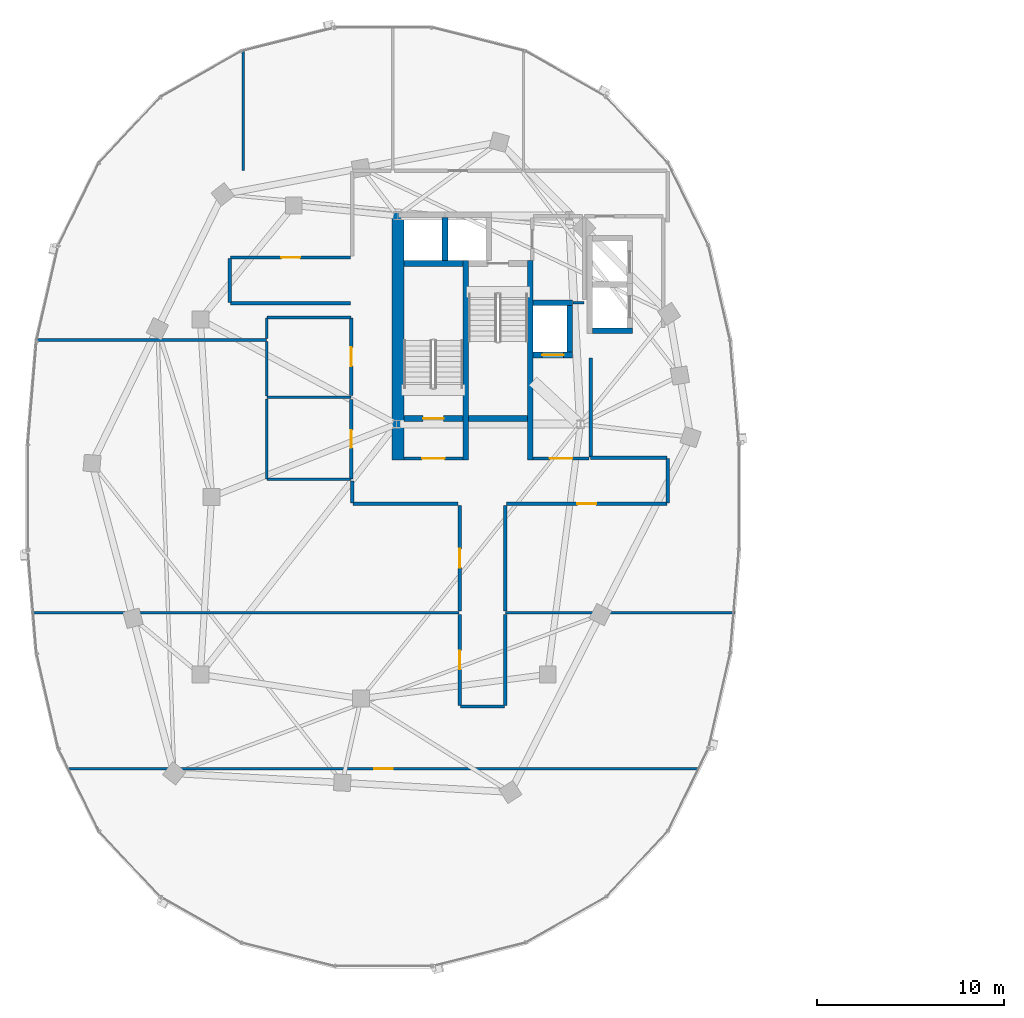
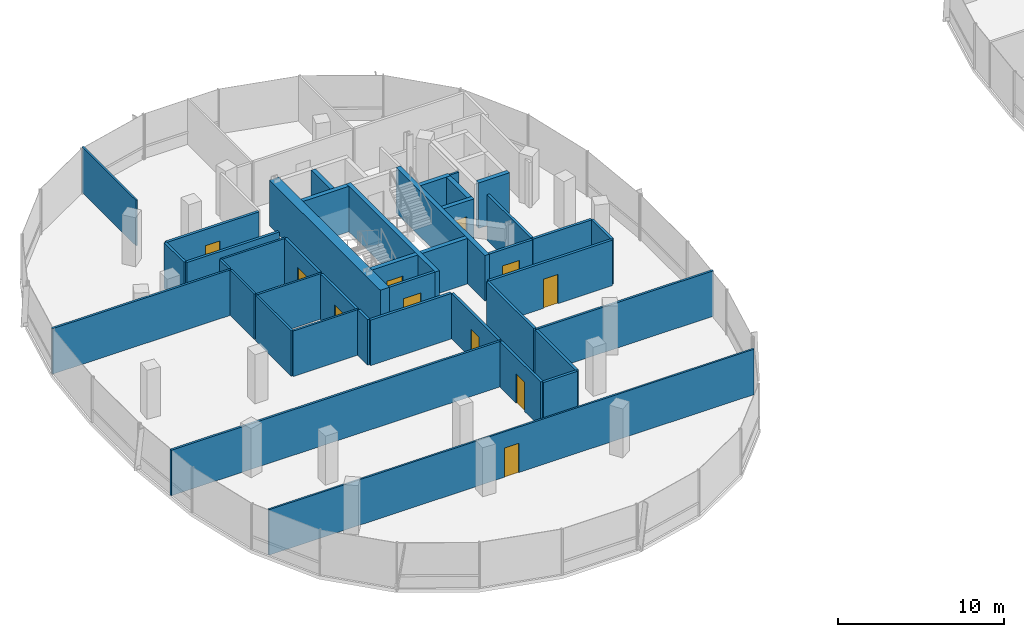
# One storey, part 15 of 25: 41 walls, 11 doors, 11 openings.
"""IFC4 building model written with IfcOpenShell, lengths in metres."""

from ifc_helpers import new_model, si_unit, direction, frame, frame_2d, origin, place, context, subcontext, project, spatial, rectangle, extrude, material, layer, layer_set, type_object, element, fill, save


model = new_model("IFC4")

# Units and contexts
model_context = context("Model", 3, precision=1e-05, world=origin(), true_north=direction((0.0, 1.0)))
body_context = subcontext(model_context, "Body", "Model", "MODEL_VIEW")
ifc_project = project(units=[si_unit("LENGTHUNIT", "METRE"), si_unit("AREAUNIT", "SQUARE_METRE"), si_unit("VOLUMEUNIT", "CUBIC_METRE"), si_unit("PLANEANGLEUNIT", "RADIAN"), si_unit("MASSUNIT", "GRAM", prefix="KILO"), si_unit("THERMODYNAMICTEMPERATUREUNIT", "KELVIN"), si_unit("POWERUNIT", "WATT")], contexts=[model_context])

# Site, building, storey
site_placement = place(None, origin())
site = spatial("IfcSite", under=ifc_project, at=site_placement, CompositionType="ELEMENT")
building_placement = place(site_placement, origin())
building = spatial("IfcBuilding", under=site, at=building_placement, Name="Cundina Bronze Exchange", CompositionType="ELEMENT")
storey_placement = place(building_placement, frame((0.0, 0.0, 220.60009765625)))
storey = spatial("IfcBuildingStorey", under=building, at=storey_placement, Name="L58", CompositionType="ELEMENT", Elevation=220.60009765625)

# Wall
ifc_material_1 = material(Name="Gypsum Fireboard Partition EI120")
ifc_layer_1 = layer(ifc_material_1, 0.179931640625, Name="Gypsum Fireboard Partition EI120")
ifc_layer_set_1 = layer_set([ifc_layer_1], Name="Gypsum Fireboard Partition EI120")
wall_type_1 = type_object("IfcWallType", Name="WL-COR-180", PredefinedType="PARTITIONING", material=ifc_layer_set_1)
wall_1_placement = place(storey_placement, frame((-20.889892578125, 2.14990234375, 0.0), z_axis=(0.0, 0.0, 1.0), x_axis=(0.0, 1.0, 0.0)))
element("IfcWall", 1, at=wall_1_placement, inside=storey, type_object=wall_type_1, Name="L58 W Firefighting Lobby Side Wall", PredefinedType="PARTITIONING", context=body_context, shape_type="SweptSolid", body=[
    extrude(rectangle(XDim=5.300048828125, YDim=0.179931640625, at=frame_2d((2.64990234375, 0.0))), origin(), (0.0, 0.0, 1.0), 3.33984375),
])

# Wall, opening, door
wall_2_placement = place(storey_placement, frame((-23.97998046875, 2.06005859375, 0.0), z_axis=(0.0, 0.0, 1.0), x_axis=(1.0, 0.0, 0.0)))
wall_2 = element("IfcWall", 2, at=wall_2_placement, inside=storey, type_object=wall_type_1, Name="L58 W Firefighting Lobby Exit Wall", PredefinedType="PARTITIONING", context=body_context, shape_type="SweptSolid", body=[
    extrude(rectangle(XDim=3.0, YDim=0.179931640625, at=frame_2d((1.5, 0.0))), origin(), (0.0, 0.0, 1.0), 3.33984375),
])
opening_1_placement = place(wall_2_placement, frame((0.89990234375, 0.0, 0.0)))
opening_1 = element("IfcOpeningElement", 3, at=opening_1_placement, cuts=wall_2, Name="Opening DF-01", PredefinedType="OPENING", context=body_context, shape_type="SweptSolid", body=[
    extrude(rectangle(XDim=1.199951171875, YDim=2.14990234375, at=frame_2d((0.60009765625, 1.074951171875))), frame((0.0, 0.099853515625, 0.0), z_axis=(0.0, -1.0, 0.0), x_axis=(1.0, 0.0, 0.0)), (0.0, 0.0, 1.0), 0.199951171875),
])
ifc_material_2 = material(Name="Steel ASTM A36 Painted", Category="steel")
door_type_1 = type_object("IfcDoorType", Name="DR-FFL-1200", OperationType="NOTDEFINED", PredefinedType="DOOR", material=ifc_material_2)
door_1_placement = place(opening_1_placement, origin())
door_1 = element("IfcDoor", 4, at=door_1_placement, inside=storey, type_object=door_type_1, Name="L58 W Firefighting Lobby Door", OperationType="SINGLE_SWING_RIGHT", OverallHeight=2.14990234375, OverallWidth=1.199951171875, PredefinedType="DOOR", context=body_context, shape_type="SweptSolid", body=[
    extrude(rectangle(XDim=1.199951171875, YDim=2.14990234375, at=frame_2d((0.60009765625, 1.074951171875))), frame((0.0, 0.02490234375, 0.0), z_axis=(0.0, -1.0, 0.0), x_axis=(1.0, 0.0, 0.0)), (0.0, 0.0, 1.0), 0.050048828125),
])
fill(opening_1, door_1)

wall_3_placement = place(storey_placement, frame((-30.89990234375, 2.06005859375, 0.0), z_axis=(0.0, 0.0, 1.0), x_axis=(1.0, 0.0, 0.0)))
wall_3 = element("IfcWall", 5, at=wall_3_placement, inside=storey, type_object=wall_type_1, Name="L58 W Stair Vestibule Exit Wall", PredefinedType="PARTITIONING", context=body_context, shape_type="SweptSolid", body=[
    extrude(rectangle(XDim=3.159912109375, YDim=0.179931640625, at=frame_2d((1.580078125, 0.0))), origin(), (0.0, 0.0, 1.0), 3.33984375),
])
opening_2_placement = place(wall_3_placement, frame((0.97998046875, 0.0, 0.0)))
opening_2 = element("IfcOpeningElement", 6, at=opening_2_placement, cuts=wall_3, Name="Opening DF-01", PredefinedType="OPENING", context=body_context, shape_type="SweptSolid", body=[
    extrude(rectangle(XDim=1.199951171875, YDim=2.14990234375, at=frame_2d((0.60009765625, 1.074951171875))), frame((0.0, 0.099853515625, 0.0), z_axis=(0.0, -1.0, 0.0), x_axis=(1.0, 0.0, 0.0)), (0.0, 0.0, 1.0), 0.199951171875),
])
door_2_placement = place(opening_2_placement, origin())
door_2 = element("IfcDoor", 7, at=door_2_placement, inside=storey, type_object=door_type_1, Name="L58 W Stair Vestibule Door", OperationType="SINGLE_SWING_LEFT", OverallHeight=2.14990234375, OverallWidth=1.199951171875, PredefinedType="DOOR", context=body_context, shape_type="SweptSolid", body=[
    extrude(rectangle(XDim=1.199951171875, YDim=2.14990234375, at=frame_2d((0.60009765625, 1.074951171875))), frame((0.0, 0.02490234375, 0.0), z_axis=(0.0, -1.0, 0.0), x_axis=(1.0, 0.0, 0.0)), (0.0, 0.0, 1.0), 0.050048828125),
])
fill(opening_2, door_2)

wall_4_placement = place(storey_placement, frame((-33.719970703125, 0.969970703125, 0.0), z_axis=(0.0, 0.0, 1.0), x_axis=(0.0, 1.0, 0.0)))
wall_4 = element("IfcWall", 8, at=wall_4_placement, inside=storey, type_object=wall_type_1, Name="L58 Interior Partition 014", PredefinedType="PARTITIONING", context=body_context, shape_type="SweptSolid", body=[
    extrude(rectangle(XDim=4.260009765625, YDim=0.179931640625, at=frame_2d((2.1298828125, 0.0))), origin(), (0.0, 0.0, 1.0), 3.33984375),
])
opening_3_placement = place(wall_4_placement, frame((1.655029296875, 0.0, 0.0)))
opening_3 = element("IfcOpeningElement", 9, at=opening_3_placement, cuts=wall_4, Name="Opening DW-01", PredefinedType="OPENING", context=body_context, shape_type="SweptSolid", body=[
    extrude(rectangle(XDim=0.949951171875, YDim=2.10009765625, at=frame_2d((0.47509765625, 1.050048828125))), frame((0.0, 0.099853515625, 0.0), z_axis=(0.0, -1.0, 0.0), x_axis=(1.0, 0.0, 0.0)), (0.0, 0.0, 1.0), 0.199951171875),
])
ifc_material_3 = material(Name="Solid Andean Oak Timber Grade A", Category="wood")
door_type_2 = type_object("IfcDoorType", Name="DR-WC-950", OperationType="NOTDEFINED", PredefinedType="DOOR", material=ifc_material_3)
door_3_placement = place(opening_3_placement, origin())
door_3 = element("IfcDoor", 10, at=door_3_placement, inside=storey, type_object=door_type_2, Name="L58 Interior Door 014", OperationType="SINGLE_SWING_LEFT", OverallHeight=2.10009765625, OverallWidth=0.949951171875, PredefinedType="DOOR", context=body_context, shape_type="SweptSolid", body=[
    extrude(rectangle(XDim=0.949951171875, YDim=2.10009765625, at=frame_2d((0.47509765625, 1.050048828125))), frame((0.0, 0.02490234375, 0.0), z_axis=(0.0, -1.0, 0.0), x_axis=(1.0, 0.0, 0.0)), (0.0, 0.0, 1.0), 0.050048828125),
])
fill(opening_3, door_3)

wall_5_placement = place(storey_placement, frame((-33.719970703125, 5.429931640625, 0.0), z_axis=(0.0, 0.0, 1.0), x_axis=(0.0, 1.0, 0.0)))
wall_5 = element("IfcWall", 11, at=wall_5_placement, inside=storey, type_object=wall_type_1, Name="L58 Interior Partition 015", PredefinedType="PARTITIONING", context=body_context, shape_type="SweptSolid", body=[
    extrude(rectangle(XDim=4.16015625, YDim=0.179931640625, at=frame_2d((2.080078125, 0.0))), origin(), (0.0, 0.0, 1.0), 3.33984375),
])
opening_4_placement = place(wall_5_placement, frame((1.580078125, 0.0, 0.0)))
opening_4 = element("IfcOpeningElement", 12, at=opening_4_placement, cuts=wall_5, Name="Opening DO-01", PredefinedType="OPENING", context=body_context, shape_type="SweptSolid", body=[
    extrude(rectangle(XDim=1.0, YDim=2.14990234375, at=frame_2d((0.5, 1.074951171875))), frame((0.0, 0.099853515625, 0.0), z_axis=(0.0, -1.0, 0.0), x_axis=(1.0, 0.0, 0.0)), (0.0, 0.0, 1.0), 0.199951171875),
])
door_type_3 = type_object("IfcDoorType", Name="DR-OFF-1000", OperationType="NOTDEFINED", PredefinedType="DOOR", material=ifc_material_3)
door_4_placement = place(opening_4_placement, origin())
door_4 = element("IfcDoor", 13, at=door_4_placement, inside=storey, type_object=door_type_3, Name="L58 Interior Door 015", OperationType="SINGLE_SWING_LEFT", OverallHeight=2.14990234375, OverallWidth=1.0, PredefinedType="DOOR", context=body_context, shape_type="SweptSolid", body=[
    extrude(rectangle(XDim=1.0, YDim=2.14990234375, at=frame_2d((0.5, 1.074951171875))), frame((0.0, 0.02490234375, 0.0), z_axis=(0.0, -1.0, 0.0), x_axis=(1.0, 0.0, 0.0)), (0.0, 0.0, 1.0), 0.050048828125),
])
fill(opening_4, door_4)

wall_6_placement = place(storey_placement, frame((-27.919921875, -6.2900390625, 0.0), z_axis=(0.0, 0.0, 1.0), x_axis=(0.0, -1.0, 0.0)))
wall_6 = element("IfcWall", 14, at=wall_6_placement, inside=storey, type_object=wall_type_1, Name="L58 Interior Partition 022", PredefinedType="PARTITIONING", context=body_context, shape_type="SweptSolid", body=[
    extrude(rectangle(XDim=4.888427734375, YDim=0.179931640625, at=frame_2d((2.4443359375, 0.0))), origin(), (0.0, 0.0, 1.0), 3.33984375),
])
opening_5_placement = place(wall_6_placement, frame((1.944091796875, 0.0, 0.0)))
opening_5 = element("IfcOpeningElement", 15, at=opening_5_placement, cuts=wall_6, Name="Opening DO-01", PredefinedType="OPENING", context=body_context, shape_type="SweptSolid", body=[
    extrude(rectangle(XDim=1.0, YDim=2.14990234375, at=frame_2d((0.5, 1.074951171875))), frame((0.0, 0.099853515625, 0.0), z_axis=(0.0, -1.0, 0.0), x_axis=(1.0, 0.0, 0.0)), (0.0, 0.0, 1.0), 0.199951171875),
])
door_5_placement = place(opening_5_placement, origin())
door_5 = element("IfcDoor", 16, at=door_5_placement, inside=storey, type_object=door_type_3, Name="L58 Interior Door 022", OperationType="SINGLE_SWING_LEFT", OverallHeight=2.14990234375, OverallWidth=1.0, PredefinedType="DOOR", context=body_context, shape_type="SweptSolid", body=[
    extrude(rectangle(XDim=1.0, YDim=2.14990234375, at=frame_2d((0.5, 1.074951171875))), frame((0.0, 0.02490234375, 0.0), z_axis=(0.0, -1.0, 0.0), x_axis=(1.0, 0.0, 0.0)), (0.0, 0.0, 1.0), 0.050048828125),
])
fill(opening_5, door_5)

# Walls
wall_7_placement = place(storey_placement, frame((-25.47998046875, -11.178466796875, 0.0), z_axis=(0.0, 0.0, 1.0), x_axis=(0.0, 1.0, 0.0)))
element("IfcWall", 17, at=wall_7_placement, inside=storey, type_object=wall_type_1, Name="L58 Interior Partition 023", PredefinedType="PARTITIONING", context=body_context, shape_type="SweptSolid", body=[
    extrude(rectangle(XDim=4.888427734375, YDim=0.179931640625, at=frame_2d((2.4443359375, 0.0))), origin(), (0.0, 0.0, 1.0), 3.33984375),
])
wall_8_placement = place(storey_placement, frame((-27.87841796875, -11.219970703125, 0.0), z_axis=(0.0, 0.0, 1.0), x_axis=(1.0, 0.0, 0.0)))
element("IfcWall", 18, at=wall_8_placement, inside=storey, type_object=wall_type_1, Name="L58 Interior Partition 024", PredefinedType="PARTITIONING", context=body_context, shape_type="SweptSolid", body=[
    extrude(rectangle(XDim=2.35693359375, YDim=0.179931640625, at=frame_2d((1.178466796875, 0.0))), origin(), (0.0, 0.0, 1.0), 3.33984375),
])

# Wall, opening, door
wall_9_placement = place(storey_placement, frame((-27.919921875, -0.449951171875, 0.0), z_axis=(0.0, 0.0, 1.0), x_axis=(0.0, -1.0, 0.0)))
wall_9 = element("IfcWall", 19, at=wall_9_placement, inside=storey, type_object=wall_type_1, Name="L58 Interior Partition 025", PredefinedType="PARTITIONING", context=body_context, shape_type="SweptSolid", body=[
    extrude(rectangle(XDim=5.66015625, YDim=0.179931640625, at=frame_2d((2.830078125, 0.0))), origin(), (0.0, 0.0, 1.0), 3.33984375),
])
opening_6_placement = place(wall_9_placement, frame((2.330078125, 0.0, 0.0)))
opening_6 = element("IfcOpeningElement", 20, at=opening_6_placement, cuts=wall_9, Name="Opening DO-01", PredefinedType="OPENING", context=body_context, shape_type="SweptSolid", body=[
    extrude(rectangle(XDim=1.0, YDim=2.14990234375, at=frame_2d((0.5, 1.074951171875))), frame((0.0, 0.099853515625, 0.0), z_axis=(0.0, -1.0, 0.0), x_axis=(1.0, 0.0, 0.0)), (0.0, 0.0, 1.0), 0.199951171875),
])
door_6_placement = place(opening_6_placement, origin())
door_6 = element("IfcDoor", 21, at=door_6_placement, inside=storey, type_object=door_type_3, Name="L58 Interior Door 025", OperationType="SINGLE_SWING_LEFT", OverallHeight=2.14990234375, OverallWidth=1.0, PredefinedType="DOOR", context=body_context, shape_type="SweptSolid", body=[
    extrude(rectangle(XDim=1.0, YDim=2.14990234375, at=frame_2d((0.5, 1.074951171875))), frame((0.0, 0.02490234375, 0.0), z_axis=(0.0, -1.0, 0.0), x_axis=(1.0, 0.0, 0.0)), (0.0, 0.0, 1.0), 0.050048828125),
])
fill(opening_6, door_6)

# Walls
wall_10_placement = place(storey_placement, frame((-33.62841796875, -0.3701171875, 0.0), z_axis=(0.0, 0.0, 1.0), x_axis=(1.0, 0.0, 0.0)))
element("IfcWall", 22, at=wall_10_placement, inside=storey, type_object=wall_type_1, Name="L58 Interior Partition 026", PredefinedType="PARTITIONING", context=body_context, shape_type="SweptSolid", body=[
    extrude(rectangle(XDim=5.62841796875, YDim=0.179931640625, at=frame_2d((2.814208984375, 0.0))), origin(), (0.0, 0.0, 1.0), 3.33984375),
])
wall_11_placement = place(storey_placement, frame((-33.669921875, 0.858642578125, 0.0), z_axis=(0.0, 0.0, 1.0), x_axis=(0.0, -1.0, 0.0)))
element("IfcWall", 23, at=wall_11_placement, inside=storey, type_object=wall_type_1, Name="L58 Interior Partition 027", PredefinedType="PARTITIONING", context=body_context, shape_type="SweptSolid", body=[
    extrude(rectangle(XDim=1.187255859375, YDim=0.179931640625, at=frame_2d((0.59375, 0.0))), origin(), (0.0, 0.0, 1.0), 3.33984375),
])

# Wall, opening, door
wall_12_placement = place(storey_placement, frame((-25.39990234375, -0.3701171875, 0.0), z_axis=(0.0, 0.0, 1.0), x_axis=(1.0, 0.0, 0.0)))
wall_12 = element("IfcWall", 24, at=wall_12_placement, inside=storey, type_object=wall_type_1, Name="L58 Interior Partition 028", PredefinedType="PARTITIONING", context=body_context, shape_type="SweptSolid", body=[
    extrude(rectangle(XDim=8.578369140625, YDim=0.179931640625, at=frame_2d((4.2890625, 0.0))), origin(), (0.0, 0.0, 1.0), 3.33984375),
])
opening_7_placement = place(wall_12_placement, frame((3.789306640625, 0.0, 0.0)))
opening_7 = element("IfcOpeningElement", 25, at=opening_7_placement, cuts=wall_12, Name="Opening DO-01", PredefinedType="OPENING", context=body_context, shape_type="SweptSolid", body=[
    extrude(rectangle(XDim=1.0, YDim=2.14990234375, at=frame_2d((0.5, 1.074951171875))), frame((0.0, 0.099853515625, 0.0), z_axis=(0.0, -1.0, 0.0), x_axis=(1.0, 0.0, 0.0)), (0.0, 0.0, 1.0), 0.199951171875),
])
door_7_placement = place(opening_7_placement, origin())
door_7 = element("IfcDoor", 26, at=door_7_placement, inside=storey, type_object=door_type_3, Name="L58 Interior Door 028", OperationType="SINGLE_SWING_LEFT", OverallHeight=2.14990234375, OverallWidth=1.0, PredefinedType="DOOR", context=body_context, shape_type="SweptSolid", body=[
    extrude(rectangle(XDim=1.0, YDim=2.14990234375, at=frame_2d((0.5, 1.074951171875))), frame((0.0, 0.02490234375, 0.0), z_axis=(0.0, -1.0, 0.0), x_axis=(1.0, 0.0, 0.0)), (0.0, 0.0, 1.0), 0.050048828125),
])
fill(opening_7, door_7)

# Walls
wall_13_placement = place(storey_placement, frame((-25.47998046875, -6.110107421875, 0.0), z_axis=(0.0, 0.0, 1.0), x_axis=(0.0, 1.0, 0.0)))
element("IfcWall", 27, at=wall_13_placement, inside=storey, type_object=wall_type_1, Name="L58 Interior Partition 030", PredefinedType="PARTITIONING", context=body_context, shape_type="SweptSolid", body=[
    extrude(rectangle(XDim=5.66015625, YDim=0.179931640625, at=frame_2d((2.830078125, 0.0))), origin(), (0.0, 0.0, 1.0), 3.33984375),
])
wall_14_placement = place(storey_placement, frame((-16.821533203125, 2.10009765625, 0.0), z_axis=(0.0, 0.0, 1.0), x_axis=(-1.0, 0.0, 0.0)))
element("IfcWall", 28, at=wall_14_placement, inside=storey, type_object=wall_type_1, Name="L58 Interior Partition 031", PredefinedType="PARTITIONING", context=body_context, shape_type="SweptSolid", body=[
    extrude(rectangle(XDim=4.098388671875, YDim=0.179931640625, at=frame_2d((2.04931640625, 0.0))), origin(), (0.0, 0.0, 1.0), 3.33984375),
])
wall_15_placement = place(storey_placement, frame((-16.780029296875, -0.32861328125, 0.0), z_axis=(0.0, 0.0, 1.0), x_axis=(0.0, 1.0, 0.0)))
element("IfcWall", 29, at=wall_15_placement, inside=storey, type_object=wall_type_1, Name="L58 Interior Partition 033", PredefinedType="PARTITIONING", context=body_context, shape_type="SweptSolid", body=[
    extrude(rectangle(XDim=2.38720703125, YDim=0.179931640625, at=frame_2d((1.193603515625, 0.0))), origin(), (0.0, 0.0, 1.0), 3.33984375),
])

# Wall, opening, door
wall_16_placement = place(storey_placement, frame((-33.75, 12.820068359375, 0.0), z_axis=(0.0, 0.0, 1.0), x_axis=(-1.0, 0.0, 0.0)))
wall_16 = element("IfcWall", 30, at=wall_16_placement, inside=storey, type_object=wall_type_1, Name="L58 Interior Partition 034", PredefinedType="PARTITIONING", context=body_context, shape_type="SweptSolid", body=[
    extrude(rectangle(XDim=6.428466796875, YDim=0.179931640625, at=frame_2d((3.21435546875, 0.0))), origin(), (0.0, 0.0, 1.0), 3.33984375),
])
opening_8_placement = place(wall_16_placement, frame((2.714111328125, 0.0, 0.0)))
opening_8 = element("IfcOpeningElement", 31, at=opening_8_placement, cuts=wall_16, Name="Opening DO-01", PredefinedType="OPENING", context=body_context, shape_type="SweptSolid", body=[
    extrude(rectangle(XDim=1.0, YDim=2.14990234375, at=frame_2d((0.5, 1.074951171875))), frame((0.0, 0.099853515625, 0.0), z_axis=(0.0, -1.0, 0.0), x_axis=(1.0, 0.0, 0.0)), (0.0, 0.0, 1.0), 0.199951171875),
])
door_8_placement = place(opening_8_placement, origin())
door_8 = element("IfcDoor", 32, at=door_8_placement, inside=storey, type_object=door_type_3, Name="L58 Interior Door 034", OperationType="SINGLE_SWING_LEFT", OverallHeight=2.14990234375, OverallWidth=1.0, PredefinedType="DOOR", context=body_context, shape_type="SweptSolid", body=[
    extrude(rectangle(XDim=1.0, YDim=2.14990234375, at=frame_2d((0.5, 1.074951171875))), frame((0.0, 0.02490234375, 0.0), z_axis=(0.0, -1.0, 0.0), x_axis=(1.0, 0.0, 0.0)), (0.0, 0.0, 1.0), 0.050048828125),
])
fill(opening_8, door_8)

# Walls
wall_17_placement = place(storey_placement, frame((-40.178466796875, 10.3798828125, 0.0), z_axis=(0.0, 0.0, 1.0), x_axis=(1.0, 0.0, 0.0)))
element("IfcWall", 33, at=wall_17_placement, inside=storey, type_object=wall_type_1, Name="L58 Interior Partition 035", PredefinedType="PARTITIONING", context=body_context, shape_type="SweptSolid", body=[
    extrude(rectangle(XDim=6.428466796875, YDim=0.179931640625, at=frame_2d((3.21435546875, 0.0))), origin(), (0.0, 0.0, 1.0), 3.33984375),
])
wall_18_placement = place(storey_placement, frame((-40.219970703125, 12.778564453125, 0.0), z_axis=(0.0, 0.0, 1.0), x_axis=(0.0, -1.0, 0.0)))
element("IfcWall", 34, at=wall_18_placement, inside=storey, type_object=wall_type_1, Name="L58 Interior Partition 037", PredefinedType="PARTITIONING", context=body_context, shape_type="SweptSolid", body=[
    extrude(rectangle(XDim=2.357177734375, YDim=0.179931640625, at=frame_2d((1.1787109375, 0.0))), origin(), (0.0, 0.0, 1.0), 3.33984375),
])
ifc_material_4 = material(Name="Concrete C50/60", Category="concrete")
ifc_layer_2 = layer(ifc_material_4, 0.64990234375, Name="Concrete C50/60", Category="concrete")
ifc_layer_set_2 = layer_set([ifc_layer_2], Name="Concrete C50/60")
wall_type_2 = type_object("IfcWallType", Name="WL-CORE-650", PredefinedType="SHEAR", material=ifc_layer_set_2)
wall_19_placement = place(storey_placement, frame((-31.22509765625, 1.969970703125, 0.0), z_axis=(0.0, 0.0, 1.0), x_axis=(0.0, 1.0, 0.0)))
element("IfcWall", 35, at=wall_19_placement, inside=storey, type_object=wall_type_2, Name="L58 W Primary Core Shear Spine Wall", PredefinedType="SHEAR", context=body_context, shape_type="SweptSolid", body=[
    extrude(rectangle(XDim=13.330078125, YDim=0.64990234375, at=frame_2d((6.6650390625, 0.0))), origin(), (0.0, 0.0, 1.0), 3.33984375),
])
ifc_material_5 = material(Name="Gypsum Acoustic Partition EI60")
ifc_layer_3 = layer(ifc_material_5, 0.125, Name="Gypsum Acoustic Partition EI60")
ifc_layer_set_3 = layer_set([ifc_layer_3], Name="Gypsum Acoustic Partition EI60")
wall_type_3 = type_object("IfcWallType", Name="WL-OFF-125", PredefinedType="PARTITIONING", material=ifc_layer_set_3)
wall_20_placement = place(storey_placement, frame((-39.5, 17.469970703125, 0.0), z_axis=(0.0, 0.0, 1.0), x_axis=(0.0, 1.0, 0.0)))
element("IfcWall", 36, at=wall_20_placement, inside=storey, type_object=wall_type_3, Name="L58 Interior Partition 019", PredefinedType="PARTITIONING", context=body_context, shape_type="SweptSolid", body=[
    extrude(rectangle(XDim=6.49267578125, YDim=0.125, at=frame_2d((3.246337890625, 0.0))), origin(), (0.0, 0.0, 1.0), 3.33984375),
])

# Wall, opening, door
wall_21_placement = place(storey_placement, frame((-48.832763671875, -14.550048828125, 0.0), z_axis=(0.0, 0.0, 1.0), x_axis=(1.0, 0.0, 0.0)))
wall_21 = element("IfcWall", 37, at=wall_21_placement, inside=storey, type_object=wall_type_3, Name="L58 Interior Partition 040", PredefinedType="PARTITIONING", context=body_context, shape_type="SweptSolid", body=[
    extrude(rectangle(XDim=33.66552734375, YDim=0.125, at=frame_2d((16.832763671875, 0.0))), origin(), (0.0, 0.0, 1.0), 3.33984375),
])
opening_9_placement = place(wall_21_placement, frame((16.332763671875, 0.0, 0.0)))
opening_9 = element("IfcOpeningElement", 38, at=opening_9_placement, cuts=wall_21, Name="Opening DO-01", PredefinedType="OPENING", context=body_context, shape_type="SweptSolid", body=[
    extrude(rectangle(XDim=1.0, YDim=2.14990234375, at=frame_2d((0.5, 1.074951171875))), frame((0.0, 0.072509765625, 0.0), z_axis=(0.0, -1.0, 0.0), x_axis=(1.0, 0.0, 0.0)), (0.0, 0.0, 1.0), 0.14501953125),
])
door_9_placement = place(opening_9_placement, origin())
door_9 = element("IfcDoor", 39, at=door_9_placement, inside=storey, type_object=door_type_3, Name="L58 Interior Door 040", OperationType="SINGLE_SWING_LEFT", OverallHeight=2.14990234375, OverallWidth=1.0, PredefinedType="DOOR", context=body_context, shape_type="SweptSolid", body=[
    extrude(rectangle(XDim=1.0, YDim=2.14990234375, at=frame_2d((0.5, 1.074951171875))), frame((0.0, 0.02490234375, 0.0), z_axis=(0.0, -1.0, 0.0), x_axis=(1.0, 0.0, 0.0)), (0.0, 0.0, 1.0), 0.050048828125),
])
fill(opening_9, door_9)

# Walls
ifc_layer_4 = layer(ifc_material_4, 0.300048828125, Name="Concrete C50/60", Category="concrete")
ifc_layer_set_4 = layer_set([ifc_layer_4], Name="Concrete C50/60")
wall_type_4 = type_object("IfcWallType", Name="WL-SHFT-300", PredefinedType="SHEAR", material=ifc_layer_set_4)
for number, where, z_axis, x_axis, name in (
    (40, (-27.590087890625, 1.969970703125, 0.0), (0.0, 0.0, 1.0), (0.0, 1.0, 0.0), "L58 W Stair Shaft Dividing Shear Wall"),
    (41, (-24.1298828125, 1.969970703125, 0.0), (0.0, 0.0, 1.0), (0.0, 1.0, 0.0), "L58 W Stair 2 East Shear Wall"),
):
    element("IfcWall", number, at=place(storey_placement, frame(where, z_axis=z_axis, x_axis=x_axis)), inside=storey, type_object=wall_type_4, Name=name, PredefinedType="SHEAR", context=body_context, shape_type="SweptSolid", body=[
        extrude(rectangle(XDim=10.679931640625, YDim=0.300048828125, at=frame_2d((5.33984375, 0.0))), origin(), (0.0, 0.0, 1.0), 3.33984375),
    ])

# Wall, opening, door
wall_22_placement = place(storey_placement, frame((-30.89990234375, 4.199951171875, 0.0), z_axis=(0.0, 0.0, 1.0), x_axis=(1.0, 0.0, 0.0)))
wall_22 = element("IfcWall", 42, at=wall_22_placement, inside=storey, type_object=wall_type_4, Name="L58 Stair W1 Landing Wall", PredefinedType="SHEAR", context=body_context, shape_type="SweptSolid", body=[
    extrude(rectangle(XDim=3.159912109375, YDim=0.300048828125, at=frame_2d((1.580078125, 0.0))), origin(), (0.0, 0.0, 1.0), 3.33984375),
])
opening_10_placement = place(wall_22_placement, frame((1.030029296875, 0.0, 0.0)))
opening_10 = element("IfcOpeningElement", 43, at=opening_10_placement, cuts=wall_22, Name="Opening DS-01", PredefinedType="OPENING", context=body_context, shape_type="SweptSolid", body=[
    extrude(rectangle(XDim=1.10009765625, YDim=2.14990234375, at=frame_2d((0.550048828125, 1.074951171875))), frame((0.0, 0.159912109375, 0.0), z_axis=(0.0, -1.0, 0.0), x_axis=(1.0, 0.0, 0.0)), (0.0, 0.0, 1.0), 0.320068359375),
])
door_type_4 = type_object("IfcDoorType", Name="DR-STR-1100", OperationType="NOTDEFINED", PredefinedType="DOOR", material=ifc_material_2)
door_10_placement = place(opening_10_placement, origin())
door_10 = element("IfcDoor", 44, at=door_10_placement, inside=storey, type_object=door_type_4, Name="L58 Smokeproof Stair W1 Door", OperationType="SINGLE_SWING_RIGHT", OverallHeight=2.14990234375, OverallWidth=1.10009765625, PredefinedType="DOOR", context=body_context, shape_type="SweptSolid", body=[
    extrude(rectangle(XDim=1.10009765625, YDim=2.14990234375, at=frame_2d((0.550048828125, 1.074951171875))), frame((0.0, 0.02490234375, 0.0), z_axis=(0.0, -1.0, 0.0), x_axis=(1.0, 0.0, 0.0)), (0.0, 0.0, 1.0), 0.050048828125),
])
fill(opening_10, door_10)

# Walls
for number, where, z_axis, x_axis, name in (
    (45, (-30.89990234375, 12.5, 0.0), (0.0, 0.0, 1.0), (1.0, 0.0, 0.0), "L58 Stair W1 Far Shaft Wall"),
    (46, (-27.43994140625, 4.199951171875, 0.0), (0.0, 0.0, 1.0), (1.0, 0.0, 0.0), "L58 Stair W2 Far Shaft Wall"),
):
    element("IfcWall", number, at=place(storey_placement, frame(where, z_axis=z_axis, x_axis=x_axis)), inside=storey, type_object=wall_type_4, Name=name, PredefinedType="SHEAR", context=body_context, shape_type="SweptSolid", body=[
        extrude(rectangle(XDim=3.159912109375, YDim=0.300048828125, at=frame_2d((1.580078125, 0.0))), origin(), (0.0, 0.0, 1.0), 3.33984375),
    ])

# Wall, opening, door
wall_23_placement = place(storey_placement, frame((-23.97998046875, 7.60009765625, 0.0), z_axis=(0.0, 0.0, 1.0), x_axis=(1.0, 0.0, 0.0)))
wall_23 = element("IfcWall", 47, at=wall_23_placement, inside=storey, type_object=wall_type_4, Name="L58 FFL-W Hoistway Front Wall", PredefinedType="SHEAR", context=body_context, shape_type="SweptSolid", body=[
    extrude(rectangle(XDim=2.10009765625, YDim=0.300048828125, at=frame_2d((1.050048828125, 0.0))), origin(), (0.0, 0.0, 1.0), 3.33984375),
])
opening_11_placement = place(wall_23_placement, frame((0.47509765625, 0.0, 0.0)))
opening_11 = element("IfcOpeningElement", 48, at=opening_11_placement, cuts=wall_23, Name="Opening LD-01", PredefinedType="OPENING", context=body_context, shape_type="SweptSolid", body=[
    extrude(rectangle(XDim=1.14990234375, YDim=2.199951171875, at=frame_2d((0.574951171875, 1.10009765625))), frame((0.0, 0.159912109375, 0.0), z_axis=(0.0, -1.0, 0.0), x_axis=(1.0, 0.0, 0.0)), (0.0, 0.0, 1.0), 0.320068359375),
])
door_type_5 = type_object("IfcDoorType", Name="DR-LND-1150", OperationType="NOTDEFINED", PredefinedType="TRAPDOOR", material=ifc_material_2)
door_11_placement = place(opening_11_placement, origin())
door_11 = element("IfcDoor", 49, at=door_11_placement, inside=storey, type_object=door_type_5, Name="L58 FFL-W Sliding Landing Door", OperationType="SLIDING_TO_LEFT", OverallHeight=2.199951171875, OverallWidth=1.14990234375, PredefinedType="TRAPDOOR", context=body_context, shape_type="SweptSolid", body=[
    extrude(rectangle(XDim=1.14990234375, YDim=2.199951171875, at=frame_2d((0.574951171875, 1.10009765625))), frame((0.0, 0.02490234375, 0.0), z_axis=(0.0, -1.0, 0.0), x_axis=(1.0, 0.0, 0.0)), (0.0, 0.0, 1.0), 0.050048828125),
])
fill(opening_11, door_11)

# Walls
wall_24_placement = place(storey_placement, frame((-23.97998046875, 10.39990234375, 0.0), z_axis=(0.0, 0.0, 1.0), x_axis=(1.0, 0.0, 0.0)))
element("IfcWall", 50, at=wall_24_placement, inside=storey, type_object=wall_type_4, Name="L58 FFL-W Hoistway Back Wall", PredefinedType="SHEAR", context=body_context, shape_type="SweptSolid", body=[
    extrude(rectangle(XDim=2.10009765625, YDim=0.300048828125, at=frame_2d((1.050048828125, 0.0))), origin(), (0.0, 0.0, 1.0), 3.33984375),
])
wall_25_placement = place(storey_placement, frame((-22.030029296875, 7.75, 0.0), z_axis=(0.0, 0.0, 1.0), x_axis=(0.0, 1.0, 0.0)))
element("IfcWall", 51, at=wall_25_placement, inside=storey, type_object=wall_type_4, Name="L58 FFL-W Hoistway Side Wall", PredefinedType="SHEAR", context=body_context, shape_type="SweptSolid", body=[
    extrude(rectangle(XDim=2.5, YDim=0.300048828125, at=frame_2d((1.25, 0.0))), origin(), (0.0, 0.0, 1.0), 3.33984375),
])
wall_26_placement = place(storey_placement, frame((-28.699951171875, 12.64990234375, 0.0), z_axis=(0.0, 0.0, 1.0), x_axis=(0.0, 1.0, 0.0)))
element("IfcWall", 52, at=wall_26_placement, inside=storey, type_object=wall_type_4, Name="L58 PH-W1 Hoistway Divider Wall", PredefinedType="SHEAR", context=body_context, shape_type="SweptSolid", body=[
    extrude(rectangle(XDim=2.300048828125, YDim=0.300048828125, at=frame_2d((1.14990234375, 0.0))), origin(), (0.0, 0.0, 1.0), 3.33984375),
])
wall_27_placement = place(storey_placement, frame((-20.800048828125, 8.89990234375, 0.0), z_axis=(0.0, 0.0, 1.0), x_axis=(1.0, 0.0, 0.0)))
element("IfcWall", 53, at=wall_27_placement, inside=storey, type_object=wall_type_4, Name="L58 W Passenger Bank South Cap Wall", PredefinedType="SHEAR", context=body_context, shape_type="SweptSolid", body=[
    extrude(rectangle(XDim=2.150146484375, YDim=0.300048828125, at=frame_2d((1.0751953125, 0.0))), origin(), (0.0, 0.0, 1.0), 3.33984375),
])
ifc_layer_5 = layer(ifc_material_5, 0.14990234375, Name="Gypsum Acoustic Partition EI60")
ifc_layer_set_5 = layer_set([ifc_layer_5], Name="Gypsum Acoustic Partition EI60")
wall_type_5 = type_object("IfcWallType", Name="WL-TEN-150", PredefinedType="PARTITIONING", material=ifc_layer_set_5)
wall_28_placement = place(storey_placement, frame((-50.81689453125, -6.199951171875, 0.0), z_axis=(0.0, 0.0, 1.0), x_axis=(1.0, 0.0, 0.0)))
element("IfcWall", 54, at=wall_28_placement, inside=storey, type_object=wall_type_5, Name="L58 Interior Partition 016", PredefinedType="PARTITIONING", context=body_context, shape_type="SweptSolid", body=[
    extrude(rectangle(XDim=22.866943359375, YDim=0.14990234375, at=frame_2d((11.43359375, 0.0))), origin(), (0.0, 0.0, 1.0), 3.33984375),
])
wall_29_placement = place(storey_placement, frame((-25.449951171875, -6.199951171875, 0.0), z_axis=(0.0, 0.0, 1.0), x_axis=(1.0, 0.0, 0.0)))
element("IfcWall", 55, at=wall_29_placement, inside=storey, type_object=wall_type_5, Name="L58 Interior Partition 017", PredefinedType="PARTITIONING", context=body_context, shape_type="SweptSolid", body=[
    extrude(rectangle(XDim=12.266845703125, YDim=0.14990234375, at=frame_2d((6.13330078125, 0.0))), origin(), (0.0, 0.0, 1.0), 3.33984375),
])
wall_30_placement = place(storey_placement, frame((-50.629638671875, 8.39990234375, 0.0), z_axis=(0.0, 0.0, 1.0), x_axis=(1.0, 0.0, 0.0)))
element("IfcWall", 56, at=wall_30_placement, inside=storey, type_object=wall_type_5, Name="L58 Interior Partition 018", PredefinedType="PARTITIONING", context=body_context, shape_type="SweptSolid", body=[
    extrude(rectangle(XDim=12.359619140625, YDim=0.14990234375, at=frame_2d((6.1796875, 0.0))), origin(), (0.0, 0.0, 1.0), 3.33984375),
])
ifc_material_6 = material(Name="Moisture-Resistant Masonry Block Grade M15", Category="masonry")
ifc_layer_6 = layer(ifc_material_6, 0.139892578125, Name="Moisture-Resistant Masonry Block Grade M15", Category="masonry")
ifc_layer_set_6 = layer_set([ifc_layer_6], Name="Moisture-Resistant Masonry Block Grade M15")
wall_type_6 = type_object("IfcWallType", Name="WL-WET-140", PredefinedType="PARTITIONING", material=ifc_layer_set_6)
wall_31_placement = place(storey_placement, frame((-21.860107421875, 10.39990234375, 0.0), z_axis=(0.0, 0.0, 1.0), x_axis=(1.0, 0.0, 0.0)))
element("IfcWall", 57, at=wall_31_placement, inside=storey, type_object=wall_type_6, Name="L58 Interior Partition 004", PredefinedType="PARTITIONING", context=body_context, shape_type="SweptSolid", body=[
    extrude(rectangle(XDim=0.590087890625, YDim=0.139892578125, at=frame_2d((0.294921875, 0.0))), origin(), (0.0, 0.0, 1.0), 3.33984375),
])
wall_32_placement = place(storey_placement, frame((-38.239990234375, 0.969970703125, 0.0), z_axis=(0.0, 0.0, 1.0), x_axis=(0.0, 1.0, 0.0)))
element("IfcWall", 58, at=wall_32_placement, inside=storey, type_object=wall_type_6, Name="L58 Interior Partition 008", PredefinedType="PARTITIONING", context=body_context, shape_type="SweptSolid", body=[
    extrude(rectangle(XDim=4.275146484375, YDim=0.139892578125, at=frame_2d((2.1376953125, 0.0))), origin(), (0.0, 0.0, 1.0), 3.33984375),
])
wall_33_placement = place(storey_placement, frame((-38.239990234375, 5.4150390625, 0.0), z_axis=(0.0, 0.0, 1.0), x_axis=(0.0, 1.0, 0.0)))
element("IfcWall", 59, at=wall_33_placement, inside=storey, type_object=wall_type_6, Name="L58 Interior Partition 009", PredefinedType="PARTITIONING", context=body_context, shape_type="SweptSolid", body=[
    extrude(rectangle(XDim=2.89990234375, YDim=0.139892578125, at=frame_2d((1.449951171875, 0.0))), origin(), (0.0, 0.0, 1.0), 3.33984375),
])
wall_34_placement = place(storey_placement, frame((-38.239990234375, 8.485107421875, 0.0), z_axis=(0.0, 0.0, 1.0), x_axis=(0.0, 1.0, 0.0)))
element("IfcWall", 60, at=wall_34_placement, inside=storey, type_object=wall_type_6, Name="L58 Interior Partition 010", PredefinedType="PARTITIONING", context=body_context, shape_type="SweptSolid", body=[
    extrude(rectangle(XDim=1.10498046875, YDim=0.139892578125, at=frame_2d((0.552490234375, 0.0))), origin(), (0.0, 0.0, 1.0), 3.33984375),
])
for number, where, z_axis, x_axis, name in (
    (61, (-38.219970703125, 0.949951171875, 0.0), (0.0, 0.0, 1.0), (1.0, 0.0, 0.0), "L58 Interior Partition 011"),
    (62, (-38.219970703125, 5.330078125, 0.0), (0.0, 0.0, 1.0), (1.0, 0.0, 0.0), "L58 Interior Partition 012"),
    (63, (-38.219970703125, 9.610107421875, 0.0), (0.0, 0.0, 1.0), (1.0, 0.0, 0.0), "L58 Interior Partition 013"),
):
    element("IfcWall", number, at=place(storey_placement, frame(where, z_axis=z_axis, x_axis=x_axis)), inside=storey, type_object=wall_type_6, Name=name, PredefinedType="PARTITIONING", context=body_context, shape_type="SweptSolid", body=[
        extrude(rectangle(XDim=4.47998046875, YDim=0.139892578125, at=frame_2d((2.239990234375, 0.0))), origin(), (0.0, 0.0, 1.0), 3.33984375),
    ])

save(model, "model.ifc")
